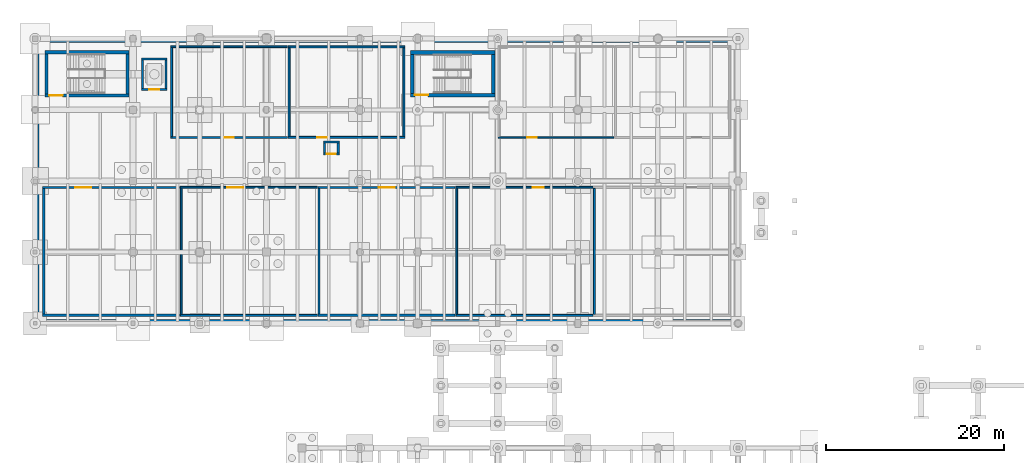
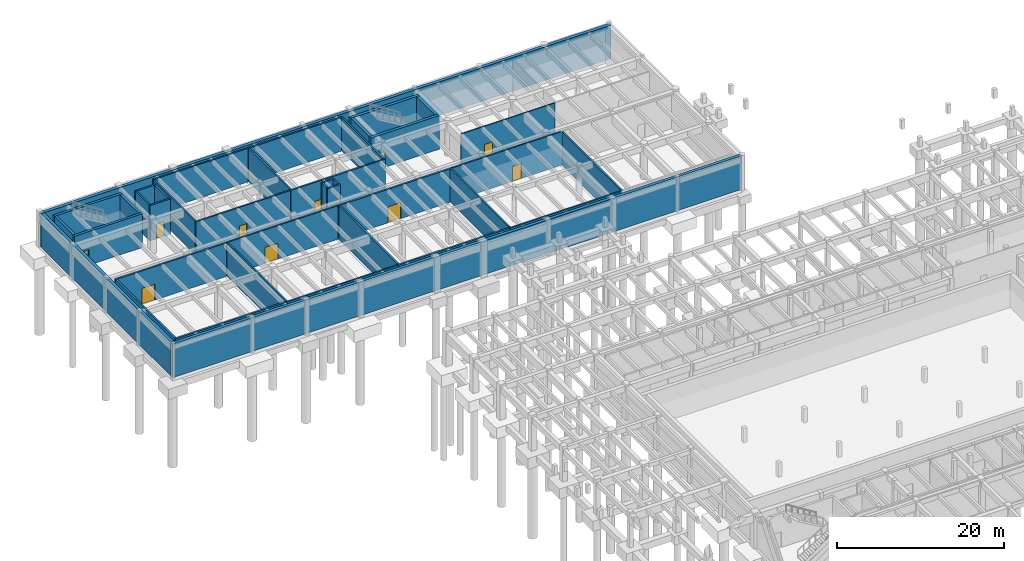
# One storey, part 30 of 36: 40 walls, 11 doors, 11 openings.
"""IFC4 building model written with IfcOpenShell, lengths in metres."""

import ifcopenshell
import ifcopenshell.guid

model = None  # the IFC model being written
_history = None  # IfcOwnerHistory: only IFC2X3 demands one
_inside = {}  # id of a spatial element -> (the spatial element, [elements in it])
_under = {}  # id of a project, library or spatial element -> (it, [spatial elements below it])
_declared = {}  # id of a project -> (the project, [libraries it declares])
_typed = {}  # id of a type object -> (the type object, [elements of that type])
_made_of = {}  # id of a material, layer set ... -> (it, [elements and type objects made of it])


def new_model(schema):
    """Start an empty IFC model of exactly this schema.

    Asked for "IFC4X3", IfcOpenShell would pick the latest addendum, in which some entities
    have other attributes; the version numbers below select the first issue.
    IFC2X3 requires an IfcOwnerHistory on every rooted entity: one is made here for all.
    """
    global model, _history
    if schema == "IFC4X3":
        model = ifcopenshell.file(schema_version=(4, 3, 0, 0))
    else:
        model = ifcopenshell.file(schema=schema)
    _inside.clear()
    _under.clear()
    _declared.clear()
    _typed.clear()
    _made_of.clear()
    _history = None
    if model.schema == "IFC2X3":
        org = make("IfcOrganization", Name="unknown")
        user = make(
            "IfcPersonAndOrganization",
            ThePerson=make("IfcPerson", FamilyName="unknown"),
            TheOrganization=org,
        )
        app = make(
            "IfcApplication",
            ApplicationDeveloper=org,
            Version="unknown",
            ApplicationFullName="unknown",
            ApplicationIdentifier="unknown",
        )
        _history = make(
            "IfcOwnerHistory",
            OwningUser=user,
            OwningApplication=app,
            ChangeAction="ADDED",
            CreationDate=0,
        )
    return model


def make(cls, **values):
    """One entity of the class cls with the attributes given. An attribute that is None is left unset."""
    return model.create_entity(
        cls, **{name: value for name, value in values.items() if value is not None}
    )


def rooted(cls, **values):
    """An entity with a GlobalId (a new one), such as an element, a storey or a relation."""
    return make(cls, GlobalId=ifcopenshell.guid.new(), OwnerHistory=_history, **values)


def si_unit(unit_type, name, prefix=None):
    """IfcSIUnit, for example si_unit("LENGTHUNIT", "METRE", prefix="MILLI")."""
    return make("IfcSIUnit", UnitType=unit_type, Prefix=prefix, Name=name)


def assignment(units):
    """IfcUnitAssignment: the units of a project."""
    return None if units is None else make("IfcUnitAssignment", Units=units)


def point(xyz):
    """IfcCartesianPoint."""
    return None if xyz is None else make("IfcCartesianPoint", Coordinates=xyz)


def direction(xyz):
    """IfcDirection."""
    return None if xyz is None else make("IfcDirection", DirectionRatios=xyz)


def frame(location, z_axis=None, x_axis=None):
    """IfcAxis2Placement3D, a coordinate frame: its origin and axes. An axis left out is left unset."""
    return make(
        "IfcAxis2Placement3D",
        Location=point(location),
        Axis=direction(z_axis),
        RefDirection=direction(x_axis),
    )


def frame_2d(location, x_axis=None):
    """IfcAxis2Placement2D, a coordinate frame in the plane: its origin and x axis."""
    return make(
        "IfcAxis2Placement2D", Location=point(location), RefDirection=direction(x_axis)
    )


def origin():
    """The frame at (0, 0, 0) with its axes left unset."""
    return frame((0.0, 0.0, 0.0))


def place(relative_to, where):
    """IfcLocalPlacement: puts the frame where relative to a parent placement (None: the world)."""
    return make(
        "IfcLocalPlacement", PlacementRelTo=relative_to, RelativePlacement=where
    )


def context(
    kind, dimensions, precision=None, world=None, true_north=None, identifier=None
):
    """IfcGeometricRepresentationContext, for example the 3D "Model" context."""
    return make(
        "IfcGeometricRepresentationContext",
        ContextIdentifier=identifier,
        ContextType=kind,
        CoordinateSpaceDimension=dimensions,
        Precision=precision,
        WorldCoordinateSystem=world,
        TrueNorth=true_north,
    )


def subcontext(parent, identifier, kind, view, scale=None):
    """IfcGeometricRepresentationSubContext, for example "Body" below "Model"."""
    return make(
        "IfcGeometricRepresentationSubContext",
        ContextIdentifier=identifier,
        ContextType=kind,
        ParentContext=parent,
        TargetScale=scale,
        TargetView=view,
    )


def project(units=None, contexts=None):
    """IfcProject with its units and contexts."""
    return rooted(
        "IfcProject",
        Name="project",
        RepresentationContexts=contexts,
        UnitsInContext=assignment(units),
    )


def spatial(cls, under=None, at=None, **own):
    """A site, building, storey or space (cls), placed at a placement, below another one or the project."""
    s = rooted(cls, ObjectPlacement=at, **own)
    if under is not None:
        _under.setdefault(under.id(), (under, []))[1].append(s)
    return s


def profile(cls, at=None, kind="AREA", **sizes):
    """A parametric profile (cls). Its sizes go by their IFC names, for example OverallWidth=200.0."""
    return make(cls, ProfileType=kind, Position=at, **sizes)


def rectangle(**sizes):
    """IfcRectangleProfileDef."""
    return profile("IfcRectangleProfileDef", **sizes)


def extrude(swept, where, along, depth):
    """IfcExtrudedAreaSolid: the profile swept, set in the frame where, extruded along a direction by depth."""
    return make(
        "IfcExtrudedAreaSolid",
        SweptArea=swept,
        Position=where,
        ExtrudedDirection=direction(along),
        Depth=depth,
    )


def shape(context_of_items, identifier, shape_type, items):
    """IfcShapeRepresentation: the items that make up one representation, for example the "Body"."""
    return make(
        "IfcShapeRepresentation",
        ContextOfItems=context_of_items,
        RepresentationIdentifier=identifier,
        RepresentationType=shape_type,
        Items=items,
    )


def material(Name=None, Category=None):
    """IfcMaterial."""
    return make("IfcMaterial", Name=Name, Category=Category)


def layer(
    of_material, thickness, ventilated=None, Name=None, Category=None, Priority=None
):
    """IfcMaterialLayer: one layer of a wall or slab, of a material (None: an air gap)."""
    return make(
        "IfcMaterialLayer",
        Material=of_material,
        LayerThickness=thickness,
        IsVentilated=ventilated,
        Name=Name,
        Category=Category,
        Priority=Priority,
    )


def layer_set(layers, Name=None):
    """IfcMaterialLayerSet."""
    return make("IfcMaterialLayerSet", MaterialLayers=layers, LayerSetName=Name)


def made_of(thing, what):
    """Note that an element or type object is made of a material, layer set ...; save() writes the relation."""
    if what is not None:
        _made_of.setdefault(what.id(), (what, []))[1].append(thing)
    return thing


def type_object(cls, material=None, **own):
    """A type object (cls), such as IfcWallType, which elements share."""
    return made_of(rooted(cls, **own), material)


def element(
    cls,
    number,
    at=None,
    inside=None,
    cuts=None,
    type_object=None,
    material=None,
    context=None,
    identifier="Body",
    shape_type=None,
    held_by="IfcProductDefinitionShape",
    body=None,
    shapes=None,
    **own,
):
    """One element of the class cls, such as IfcWall. Its Tag is "e" and its number.

    at: its placement. inside: the storey or other place that contains it. cuts: it is an
    opening in that element (IfcRelVoidsElement). A single representation is given by context,
    identifier, shape_type and body (its items); several are given by shapes. held_by: the class
    of the entity that holds the representations. save() writes the other relations.
    """
    e = rooted(cls, Tag="e%d" % number, ObjectPlacement=at, **own)
    if body is not None:
        shapes = [shape(context, identifier, shape_type, body)]
    if shapes is not None:
        e.Representation = make(held_by, Representations=shapes)
    if inside is not None:
        _inside.setdefault(inside.id(), (inside, []))[1].append(e)
    if cuts is not None:
        rooted(
            "IfcRelVoidsElement", RelatingBuildingElement=cuts, RelatedOpeningElement=e
        )
    if type_object is not None:
        _typed.setdefault(type_object.id(), (type_object, []))[1].append(e)
    return made_of(e, material)


def fill(opening, filler):
    """IfcRelFillsElement: the door or window that sits in an opening."""
    return rooted(
        "IfcRelFillsElement",
        RelatingOpeningElement=opening,
        RelatedBuildingElement=filler,
    )


def aggregate(whole, parts):
    """IfcRelAggregates: a whole, such as a stair, and the parts it consists of."""
    return rooted("IfcRelAggregates", RelatingObject=whole, RelatedObjects=parts)


def save(model, path):
    """Write the relations noted so far, then the file.

    IfcRelAggregates (storeys below a building ...), IfcRelContainedInSpatialStructure (elements
    in a storey), IfcRelDefinesByType, IfcRelAssociatesMaterial and IfcRelDeclares: one each for
    every whole, place, type object, material and project.
    """
    for whole, parts in _under.values():
        aggregate(whole, parts)
    for where, things in _inside.values():
        rooted(
            "IfcRelContainedInSpatialStructure",
            RelatedElements=things,
            RelatingStructure=where,
        )
    for kind, things in _typed.values():
        rooted("IfcRelDefinesByType", RelatedObjects=things, RelatingType=kind)
    for what, things in _made_of.values():
        rooted("IfcRelAssociatesMaterial", RelatedObjects=things, RelatingMaterial=what)
    for by, libraries in _declared.values():
        rooted("IfcRelDeclares", RelatingContext=by, RelatedDefinitions=libraries)
    model.write(path)


model = new_model("IFC4")

# Units and contexts
model_context = context("Model", 3, precision=1e-05, world=origin(), true_north=direction((0.0, 1.0)))
body_context = subcontext(model_context, "Body", "Model", "MODEL_VIEW")
ifc_project = project(units=[si_unit("LENGTHUNIT", "METRE"), si_unit("AREAUNIT", "SQUARE_METRE"), si_unit("VOLUMEUNIT", "CUBIC_METRE"), si_unit("PLANEANGLEUNIT", "RADIAN"), si_unit("MASSUNIT", "GRAM", prefix="KILO"), si_unit("THERMODYNAMICTEMPERATUREUNIT", "KELVIN"), si_unit("POWERUNIT", "WATT")], contexts=[model_context])

# Site, building, storey
site_placement = place(None, origin())
site = spatial("IfcSite", under=ifc_project, at=site_placement, CompositionType="ELEMENT")
building_placement = place(site_placement, origin())
building = spatial("IfcBuilding", under=site, at=building_placement, Name="Tepalcoro Natatorium and Aquatics Centre", CompositionType="ELEMENT")
storey_placement = place(building_placement, frame((0.0, 0.0, -5.199951171875)))
storey = spatial("IfcBuildingStorey", under=building, at=storey_placement, Name="B1", CompositionType="ELEMENT", Elevation=-5.199951171875)

# Wall, opening, door
ifc_material_1 = material(Name="Moisture-Resistant Acoustic Gypsum Drywall on Cold-Formed Metal Studs")
ifc_layer_1 = layer(ifc_material_1, 0.14990234375)
ifc_layer_set_1 = layer_set([ifc_layer_1], Name="Moisture-Resistant Acoustic Gypsum Drywall on Cold-Formed Metal Studs")
wall_type_1 = type_object("IfcWallType", Name="WL_PART_150_AC", PredefinedType="PARTITIONING", material=ifc_layer_set_1)
wall_1_placement = place(storey_placement, frame((62.0400390625, 106.875, 0.0), z_axis=(0.0, 0.0, 1.0), x_axis=(1.0, 0.0, 0.0)))
wall_1 = element("IfcWall", 1, at=wall_1_placement, inside=storey, type_object=wall_type_1, Name="Water-Quality Testing Laboratory Partition S", PredefinedType="PARTITIONING", context=body_context, shape_type="SweptSolid", body=[
    extrude(rectangle(XDim=13.02001953125, YDim=0.14990234375, at=frame_2d((6.510009765625, 0.0))), origin(), (0.0, 0.0, 1.0), 4.925048828125),
])
opening_1_placement = place(wall_1_placement, frame((3.2548828125, 0.0, 0.0)))
opening_1 = element("IfcOpeningElement", 2, at=opening_1_placement, cuts=wall_1, Name="Opening D0071", PredefinedType="OPENING", context=body_context, shape_type="SweptSolid", body=[
    extrude(rectangle(XDim=1.10009765625, YDim=2.25, at=frame_2d((0.550048828125, 1.125))), frame((0.0, 0.0869140625, 0.0), z_axis=(0.0, -1.0, 0.0), x_axis=(1.0, 0.0, 0.0)), (0.0, 0.0, 1.0), 0.173828125),
])
ifc_material_2 = material(Name="Solid-Core Moisture-Sealed Oak Timber Leaf in Aluminium Frame", Category="wood")
door_type_1 = type_object("IfcDoorType", Name="DR_110x225", OperationType="NOTDEFINED", PredefinedType="DOOR", material=ifc_material_2)
door_1_placement = place(opening_1_placement, origin())
door_1 = element("IfcDoor", 3, at=door_1_placement, inside=storey, type_object=door_type_1, Name="Water-Quality Testing Laboratory Door", OperationType="SINGLE_SWING_LEFT", OverallHeight=2.25, OverallWidth=1.10009765625, PredefinedType="DOOR", context=body_context, shape_type="SweptSolid", body=[
    extrude(rectangle(XDim=1.10009765625, YDim=2.25, at=frame_2d((0.550048828125, 1.125))), frame((0.0, 0.02490234375, 0.0), z_axis=(0.0, -1.0, 0.0), x_axis=(1.0, 0.0, 0.0)), (0.0, 0.0, 1.0), 0.050048828125),
])
fill(opening_1, door_1)

# Wall
ifc_material_3 = material(Name="Ceramic-Tiled Moisture-Resistant Masonry Blockwork", Category="masonry")
ifc_layer_2 = layer(ifc_material_3, 0.219970703125)
ifc_layer_set_2 = layer_set([ifc_layer_2], Name="Ceramic-Tiled Moisture-Resistant Masonry Blockwork")
wall_type_2 = type_object("IfcWallType", Name="WL_PLUMB_220", PredefinedType="PLUMBINGWALL", material=ifc_layer_set_2)
wall_2_placement = place(storey_placement, frame((72.8701171875, 87.02001953125, 0.0), z_axis=(0.0, 0.0, 1.0), x_axis=(0.0, 1.0, 0.0)))
element("IfcWall", 4, at=wall_2_placement, inside=storey, type_object=wall_type_2, Name="Engineer Staff Changing & Male/Female Toilets Partition W", PredefinedType="PLUMBINGWALL", context=body_context, shape_type="SweptSolid", body=[
    extrude(rectangle(XDim=14.159912109375, YDim=0.219970703125, at=frame_2d((7.080078125, 0.0))), origin(), (0.0, 0.0, 1.0), 4.925048828125),
])

# Wall, opening, door
wall_3_placement = place(storey_placement, frame((38.43994140625, 106.909912109375, 0.0), z_axis=(0.0, 0.0, 1.0), x_axis=(1.0, 0.0, 0.0)))
wall_3 = element("IfcWall", 5, at=wall_3_placement, inside=storey, type_object=wall_type_2, Name="B1 Staff Accessible WC Partition S", PredefinedType="PLUMBINGWALL", context=body_context, shape_type="SweptSolid", body=[
    extrude(rectangle(XDim=13.1201171875, YDim=0.219970703125, at=frame_2d((6.56005859375, 0.0))), origin(), (0.0, 0.0, 1.0), 4.925048828125),
])
opening_2_placement = place(wall_3_placement, frame((3.29248046875, 0.0, 0.0)))
opening_2 = element("IfcOpeningElement", 6, at=opening_2_placement, cuts=wall_3, Name="Opening D0070", PredefinedType="OPENING", context=body_context, shape_type="SweptSolid", body=[
    extrude(rectangle(XDim=1.050048828125, YDim=2.14990234375, at=frame_2d((0.52490234375, 1.074951171875))), frame((0.0, 0.1220703125, 0.0), z_axis=(0.0, -1.0, 0.0), x_axis=(1.0, 0.0, 0.0)), (0.0, 0.0, 1.0), 0.243896484375),
])
door_type_2 = type_object("IfcDoorType", Name="DR_105x215_ACC", OperationType="NOTDEFINED", PredefinedType="DOOR", material=ifc_material_2)
door_2_placement = place(opening_2_placement, origin())
door_2 = element("IfcDoor", 7, at=door_2_placement, inside=storey, type_object=door_type_2, Name="B1 Staff Accessible WC Door", OperationType="SINGLE_SWING_RIGHT", OverallHeight=2.14990234375, OverallWidth=1.050048828125, PredefinedType="DOOR", context=body_context, shape_type="SweptSolid", body=[
    extrude(rectangle(XDim=1.050048828125, YDim=2.14990234375, at=frame_2d((0.52490234375, 1.074951171875))), frame((0.0, 0.02490234375, 0.0), z_axis=(0.0, -1.0, 0.0), x_axis=(1.0, 0.0, 0.0)), (0.0, 0.0, 1.0), 0.050048828125),
])
fill(opening_2, door_2)

# Walls
wall_4_placement = place(storey_placement, frame((38.43994140625, 117.090087890625, 0.0), z_axis=(0.0, 0.0, 1.0), x_axis=(1.0, 0.0, 0.0)))
element("IfcWall", 8, at=wall_4_placement, inside=storey, type_object=wall_type_2, Name="B1 Staff Accessible WC Partition N", PredefinedType="PLUMBINGWALL", context=body_context, shape_type="SweptSolid", body=[
    extrude(rectangle(XDim=13.1201171875, YDim=0.219970703125, at=frame_2d((6.56005859375, 0.0))), origin(), (0.0, 0.0, 1.0), 4.925048828125),
])
for number, where, z_axis, x_axis, name in (
    (9, (51.449951171875, 107.02001953125, 0.0), (0.0, 0.0, 1.0), (0.0, 1.0, 0.0), "B1 Staff Accessible WC Partition E"),
    (10, (38.550048828125, 107.02001953125, 0.0), (0.0, 0.0, 1.0), (0.0, 1.0, 0.0), "B1 Staff Accessible WC Partition W"),
):
    element("IfcWall", number, at=place(storey_placement, frame(where, z_axis=z_axis, x_axis=x_axis)), inside=storey, type_object=wall_type_2, Name=name, PredefinedType="PLUMBINGWALL", context=body_context, shape_type="SweptSolid", body=[
        extrude(rectangle(XDim=9.9599609375, YDim=0.219970703125, at=frame_2d((4.97998046875, 0.0))), origin(), (0.0, 0.0, 1.0), 4.925048828125),
    ])
ifc_material_4 = material(Name="Concrete C40/50 (fc 40 MPa)", Category="concrete")
ifc_layer_3 = layer(ifc_material_4, 0.449951171875)
ifc_layer_set_3 = layer_set([ifc_layer_3], Name="Concrete C40/50 (fc 40 MPa)")
wall_type_3 = type_object("IfcWallType", Name="WL_RET_450", PredefinedType="USERDEFINED", material=ifc_layer_set_3)
for number, where, z_axis, x_axis, name in (
    (11, (10.0, 86.22509765625, 0.0), (0.0, 0.0, 1.0), (1.0, 0.0, 0.0), "V4 Basement Retaining Wall S"),
    (12, (10.0, 117.77490234375, 0.0), (0.0, 0.0, 1.0), (1.0, 0.0, 0.0), "V4 Basement Retaining Wall N"),
):
    element("IfcWall", number, at=place(storey_placement, frame(where, z_axis=z_axis, x_axis=x_axis)), inside=storey, type_object=wall_type_3, Name=name, ObjectType="RETAINING WALL", PredefinedType="USERDEFINED", context=body_context, shape_type="SweptSolid", body=[
        extrude(rectangle(XDim=79.0, YDim=0.449951171875, at=frame_2d((39.5, 0.0))), origin(), (0.0, 0.0, 1.0), 4.93994140625),
    ])
wall_5_placement = place(storey_placement, frame((10.22509765625, 86.449951171875, 0.0), z_axis=(0.0, 0.0, 1.0), x_axis=(0.0, 1.0, 0.0)))
element("IfcWall", 13, at=wall_5_placement, inside=storey, type_object=wall_type_3, Name="V4 Basement Retaining Wall W", ObjectType="RETAINING WALL", PredefinedType="USERDEFINED", context=body_context, shape_type="SweptSolid", body=[
    extrude(rectangle(XDim=31.10009765625, YDim=0.449951171875, at=frame_2d((15.550048828125, 0.0))), origin(), (0.0, 0.0, 1.0), 4.93994140625),
])

# Wall, opening, door
ifc_layer_4 = layer(ifc_material_4, 0.239990234375)
ifc_layer_set_4 = layer_set([ifc_layer_4], Name="Concrete C40/50 (fc 40 MPa)")
wall_type_4 = type_object("IfcWallType", Name="WL_SHAFT_240", PredefinedType="SOLIDWALL", material=ifc_layer_set_4)
wall_6_placement = place(storey_placement, frame((21.9599609375, 112.280029296875, 0.0), z_axis=(0.0, 0.0, 1.0), x_axis=(1.0, 0.0, 0.0)))
wall_6 = element("IfcWall", 14, at=wall_6_placement, inside=storey, type_object=wall_type_4, Name="LF04 Lift Shaft Wall S B1", PredefinedType="SOLIDWALL", context=body_context, shape_type="SweptSolid", body=[
    extrude(rectangle(XDim=2.880126953125, YDim=0.239990234375, at=frame_2d((1.43994140625, 0.0))), origin(), (0.0, 0.0, 1.0), 5.199951171875),
])
opening_3_placement = place(wall_6_placement, frame((0.889892578125, 0.0, 0.0)))
opening_3 = element("IfcOpeningElement", 15, at=opening_3_placement, cuts=wall_6, Name="Opening LD-LF04-B1", PredefinedType="OPENING", context=body_context, shape_type="SweptSolid", body=[
    extrude(rectangle(XDim=1.10009765625, YDim=2.14990234375, at=frame_2d((0.550048828125, 1.074951171875))), frame((0.0, 0.1318359375, 0.0), z_axis=(0.0, -1.0, 0.0), x_axis=(1.0, 0.0, 0.0)), (0.0, 0.0, 1.0), 0.263916015625),
])
ifc_material_5 = material(Name="Marine-Grade Brushed Stainless Steel AISI 316L", Category="steel")
door_type_3 = type_object("IfcDoorType", Name="DR_110x215_LIFT", OperationType="NOTDEFINED", PredefinedType="USERDEFINED", material=ifc_material_5)
door_3_placement = place(opening_3_placement, origin())
door_3 = element("IfcDoor", 16, at=door_3_placement, inside=storey, type_object=door_type_3, Name="LF04 Lift Landing Sliding Door (B1)", ObjectType="SLIDING LANDING DOOR", OperationType="SLIDING_TO_LEFT", OverallHeight=2.14990234375, OverallWidth=1.10009765625, PredefinedType="USERDEFINED", context=body_context, shape_type="SweptSolid", body=[
    extrude(rectangle(XDim=1.10009765625, YDim=2.14990234375, at=frame_2d((0.550048828125, 1.074951171875))), frame((0.0, 0.02490234375, 0.0), z_axis=(0.0, -1.0, 0.0), x_axis=(1.0, 0.0, 0.0)), (0.0, 0.0, 1.0), 0.050048828125),
])
fill(opening_3, door_3)

# Walls
wall_7_placement = place(storey_placement, frame((21.9599609375, 115.719970703125, 0.0), z_axis=(0.0, 0.0, 1.0), x_axis=(1.0, 0.0, 0.0)))
element("IfcWall", 17, at=wall_7_placement, inside=storey, type_object=wall_type_4, Name="LF04 Lift Shaft Wall N B1", PredefinedType="SOLIDWALL", context=body_context, shape_type="SweptSolid", body=[
    extrude(rectangle(XDim=2.880126953125, YDim=0.239990234375, at=frame_2d((1.43994140625, 0.0))), origin(), (0.0, 0.0, 1.0), 5.199951171875),
])
for number, where, z_axis, x_axis, name in (
    (18, (22.080078125, 112.39990234375, 0.0), (0.0, 0.0, 1.0), (0.0, 1.0, 0.0), "LF04 Lift Shaft Wall W B1"),
    (19, (24.719970703125, 112.39990234375, 0.0), (0.0, 0.0, 1.0), (0.0, 1.0, 0.0), "LF04 Lift Shaft Wall E B1"),
):
    element("IfcWall", number, at=place(storey_placement, frame(where, z_axis=z_axis, x_axis=x_axis)), inside=storey, type_object=wall_type_4, Name=name, PredefinedType="SOLIDWALL", context=body_context, shape_type="SweptSolid", body=[
        extrude(rectangle(XDim=3.2001953125, YDim=0.239990234375, at=frame_2d((1.60009765625, 0.0))), origin(), (0.0, 0.0, 1.0), 5.199951171875),
    ])

# Wall, opening, door
ifc_layer_5 = layer(ifc_material_4, 0.35009765625)
ifc_layer_set_5 = layer_set([ifc_layer_5], Name="Concrete C40/50 (fc 40 MPa)")
wall_type_5 = type_object("IfcWallType", Name="WL_SHEAR_350", PredefinedType="SHEAR", material=ifc_layer_set_5)
wall_8_placement = place(storey_placement, frame((11.10009765625, 111.625, 0.0), z_axis=(0.0, 0.0, 1.0), x_axis=(1.0, 0.0, 0.0)))
wall_8 = element("IfcWall", 20, at=wall_8_placement, inside=storey, type_object=wall_type_5, Name="ST07 Core Shear Wall S B1", PredefinedType="SHEAR", context=body_context, shape_type="SweptSolid", body=[
    extrude(rectangle(XDim=9.449951171875, YDim=0.35009765625, at=frame_2d((4.72509765625, 0.0))), origin(), (0.0, 0.0, 1.0), 4.93994140625),
])
opening_4_placement = place(wall_8_placement, frame((0.47998046875, 0.0, 0.0)))
opening_4 = element("IfcOpeningElement", 21, at=opening_4_placement, cuts=wall_8, Name="Opening D0025", PredefinedType="OPENING", context=body_context, shape_type="SweptSolid", body=[
    extrude(rectangle(XDim=1.5, YDim=2.300048828125, at=frame_2d((0.75, 1.14990234375))), frame((0.0, 0.18701171875, 0.0), z_axis=(0.0, -1.0, 0.0), x_axis=(1.0, 0.0, 0.0)), (0.0, 0.0, 1.0), 0.3740234375),
])
ifc_material_6 = material(Name="Galvanised Steel Insulated Acoustic Fire Door Assembly", Category="steel")
door_type_4 = type_object("IfcDoorType", Name="DR_150x230_FD60", OperationType="NOTDEFINED", PredefinedType="DOOR", material=ifc_material_6)
door_4_placement = place(opening_4_placement, origin())
door_4 = element("IfcDoor", 22, at=door_4_placement, inside=storey, type_object=door_type_4, Name="ST07 Fire Stair Door (B1)", OperationType="DOUBLE_DOOR_SINGLE_SWING", OverallHeight=2.300048828125, OverallWidth=1.5, PredefinedType="DOOR", context=body_context, shape_type="SweptSolid", body=[
    extrude(rectangle(XDim=1.5, YDim=2.300048828125, at=frame_2d((0.75, 1.14990234375))), frame((0.0, 0.02490234375, 0.0), z_axis=(0.0, -1.0, 0.0), x_axis=(1.0, 0.0, 0.0)), (0.0, 0.0, 1.0), 0.050048828125),
])
fill(opening_4, door_4)

# Walls
wall_9_placement = place(storey_placement, frame((11.10009765625, 116.47509765625, 0.0), z_axis=(0.0, 0.0, 1.0), x_axis=(1.0, 0.0, 0.0)))
element("IfcWall", 23, at=wall_9_placement, inside=storey, type_object=wall_type_5, Name="ST07 Core Shear Wall N B1", PredefinedType="SHEAR", context=body_context, shape_type="SweptSolid", body=[
    extrude(rectangle(XDim=9.449951171875, YDim=0.35009765625, at=frame_2d((4.72509765625, 0.0))), origin(), (0.0, 0.0, 1.0), 4.93994140625),
])
for number, where, z_axis, x_axis, name in (
    (24, (11.27490234375, 111.800048828125, 0.0), (0.0, 0.0, 1.0), (0.0, 1.0, 0.0), "ST07 Core Shear Wall W B1"),
    (25, (20.375, 111.800048828125, 0.0), (0.0, 0.0, 1.0), (0.0, 1.0, 0.0), "ST07 Core Shear Wall E B1"),
):
    element("IfcWall", number, at=place(storey_placement, frame(where, z_axis=z_axis, x_axis=x_axis)), inside=storey, type_object=wall_type_5, Name=name, PredefinedType="SHEAR", context=body_context, shape_type="SweptSolid", body=[
        extrude(rectangle(XDim=4.5, YDim=0.35009765625, at=frame_2d((2.25, 0.0))), origin(), (0.0, 0.0, 1.0), 4.93994140625),
    ])

# Wall, opening, door
ifc_layer_6 = layer(ifc_material_4, 0.39990234375)
ifc_layer_set_6 = layer_set([ifc_layer_6], Name="Concrete C40/50 (fc 40 MPa)")
wall_type_6 = type_object("IfcWallType", Name="WL_SHEAR_400", PredefinedType="SHEAR", material=ifc_layer_set_6)
wall_10_placement = place(storey_placement, frame((52.199951171875, 111.64990234375, 0.0), z_axis=(0.0, 0.0, 1.0), x_axis=(1.0, 0.0, 0.0)))
wall_10 = element("IfcWall", 26, at=wall_10_placement, inside=storey, type_object=wall_type_6, Name="ST08 Core Shear Wall S B1", PredefinedType="SHEAR", context=body_context, shape_type="SweptSolid", body=[
    extrude(rectangle(XDim=9.5, YDim=0.39990234375, at=frame_2d((4.75, 0.0))), origin(), (0.0, 0.0, 1.0), 4.93994140625),
])
opening_5_placement = place(wall_10_placement, frame((0.47998046875, 0.0, 0.0)))
opening_5 = element("IfcOpeningElement", 27, at=opening_5_placement, cuts=wall_10, Name="Opening D0029", PredefinedType="OPENING", context=body_context, shape_type="SweptSolid", body=[
    extrude(rectangle(XDim=1.5, YDim=2.300048828125, at=frame_2d((0.75, 1.14990234375))), frame((0.0, 0.2119140625, 0.0), z_axis=(0.0, -1.0, 0.0), x_axis=(1.0, 0.0, 0.0)), (0.0, 0.0, 1.0), 0.423828125),
])
door_5_placement = place(opening_5_placement, origin())
door_5 = element("IfcDoor", 28, at=door_5_placement, inside=storey, type_object=door_type_4, Name="ST08 Fire Stair Door (B1)", OperationType="DOUBLE_DOOR_SINGLE_SWING", OverallHeight=2.300048828125, OverallWidth=1.5, PredefinedType="DOOR", context=body_context, shape_type="SweptSolid", body=[
    extrude(rectangle(XDim=1.5, YDim=2.300048828125, at=frame_2d((0.75, 1.14990234375))), frame((0.0, 0.02490234375, 0.0), z_axis=(0.0, -1.0, 0.0), x_axis=(1.0, 0.0, 0.0)), (0.0, 0.0, 1.0), 0.050048828125),
])
fill(opening_5, door_5)

# Walls
wall_11_placement = place(storey_placement, frame((52.199951171875, 116.449951171875, 0.0), z_axis=(0.0, 0.0, 1.0), x_axis=(1.0, 0.0, 0.0)))
element("IfcWall", 29, at=wall_11_placement, inside=storey, type_object=wall_type_6, Name="ST08 Core Shear Wall N B1", PredefinedType="SHEAR", context=body_context, shape_type="SweptSolid", body=[
    extrude(rectangle(XDim=9.5, YDim=0.39990234375, at=frame_2d((4.75, 0.0))), origin(), (0.0, 0.0, 1.0), 4.93994140625),
])
for number, where, z_axis, x_axis, name in (
    (30, (52.39990234375, 111.85009765625, 0.0), (0.0, 0.0, 1.0), (0.0, 1.0, 0.0), "ST08 Core Shear Wall W B1"),
    (31, (61.5, 111.85009765625, 0.0), (0.0, 0.0, 1.0), (0.0, 1.0, 0.0), "ST08 Core Shear Wall E B1"),
):
    element("IfcWall", number, at=place(storey_placement, frame(where, z_axis=z_axis, x_axis=x_axis)), inside=storey, type_object=wall_type_6, Name=name, PredefinedType="SHEAR", context=body_context, shape_type="SweptSolid", body=[
        extrude(rectangle(XDim=4.39990234375, YDim=0.39990234375, at=frame_2d((2.199951171875, 0.0))), origin(), (0.0, 0.0, 1.0), 4.93994140625),
    ])
ifc_material_7 = material(Name="Concrete C35/45 (fc 35 MPa)", Category="concrete")
ifc_layer_7 = layer(ifc_material_7, 0.205078125)
ifc_layer_set_7 = layer_set([ifc_layer_7], Name="Concrete C35/45 (fc 35 MPa)")
wall_type_7 = type_object("IfcWallType", Name="WL_SOLID_200_FR120", PredefinedType="SOLIDWALL", material=ifc_layer_set_7)
wall_12_placement = place(storey_placement, frame((26.320068359375, 86.902587890625, 0.0), z_axis=(0.0, 0.0, 1.0), x_axis=(1.0, 0.0, 0.0)))
element("IfcWall", 32, at=wall_12_placement, inside=storey, type_object=wall_type_7, Name="Training & Hydrotherapy Filtration Plant Hall Partition S", PredefinedType="SOLIDWALL", context=body_context, shape_type="SweptSolid", body=[
    extrude(rectangle(XDim=15.39990234375, YDim=0.205078125, at=frame_2d((7.699951171875, 0.0))), origin(), (0.0, 0.0, 1.0), 4.925048828125),
])

# Wall, opening, door
wall_13_placement = place(storey_placement, frame((26.320068359375, 101.297607421875, 0.0), z_axis=(0.0, 0.0, 1.0), x_axis=(1.0, 0.0, 0.0)))
wall_13 = element("IfcWall", 33, at=wall_13_placement, inside=storey, type_object=wall_type_7, Name="Training & Hydrotherapy Filtration Plant Hall Partition N", PredefinedType="SOLIDWALL", context=body_context, shape_type="SweptSolid", body=[
    extrude(rectangle(XDim=15.39990234375, YDim=0.205078125, at=frame_2d((7.699951171875, 0.0))), origin(), (0.0, 0.0, 1.0), 4.925048828125),
])
opening_6_placement = place(wall_13_placement, frame((5.300048828125, 0.0, 0.0)))
opening_6 = element("IfcOpeningElement", 34, at=opening_6_placement, cuts=wall_13, Name="Opening D0065", PredefinedType="OPENING", context=body_context, shape_type="SweptSolid", body=[
    extrude(rectangle(XDim=1.800048828125, YDim=2.35009765625, at=frame_2d((0.89990234375, 1.175048828125))), frame((0.0, 0.114501953125, 0.0), z_axis=(0.0, -1.0, 0.0), x_axis=(1.0, 0.0, 0.0)), (0.0, 0.0, 1.0), 0.22900390625),
])
door_type_5 = type_object("IfcDoorType", Name="DR_180x240_PLANT", OperationType="NOTDEFINED", PredefinedType="DOOR", material=ifc_material_6)
door_6_placement = place(opening_6_placement, frame((1.800048828125, 0.0, 0.0), z_axis=(0.0, 0.0, 1.0), x_axis=(-1.0, 0.0, 0.0)))
door_6 = element("IfcDoor", 35, at=door_6_placement, inside=storey, type_object=door_type_5, Name="Training & Hydrotherapy Filtration Plant Hall Door", OperationType="DOUBLE_DOOR_SINGLE_SWING", OverallHeight=2.35009765625, OverallWidth=1.800048828125, PredefinedType="DOOR", context=body_context, shape_type="SweptSolid", body=[
    extrude(rectangle(XDim=1.800048828125, YDim=2.35009765625, at=frame_2d((0.89990234375, 1.175048828125))), frame((0.0, 0.02490234375, 0.0), z_axis=(0.0, -1.0, 0.0), x_axis=(1.0, 0.0, 0.0)), (0.0, 0.0, 1.0), 0.050048828125),
])
fill(opening_6, door_6)

# Walls
wall_14_placement = place(storey_placement, frame((26.422607421875, 87.0048828125, 0.0), z_axis=(0.0, 0.0, 1.0), x_axis=(0.0, 1.0, 0.0)))
element("IfcWall", 36, at=wall_14_placement, inside=storey, type_object=wall_type_7, Name="Training & Hydrotherapy Filtration Plant Hall Partition W", PredefinedType="SOLIDWALL", context=body_context, shape_type="SweptSolid", body=[
    extrude(rectangle(XDim=14.190185546875, YDim=0.205078125, at=frame_2d((7.09521484375, 0.0))), origin(), (0.0, 0.0, 1.0), 4.925048828125),
])
wall_15_placement = place(storey_placement, frame((57.280029296875, 86.902587890625, 0.0), z_axis=(0.0, 0.0, 1.0), x_axis=(1.0, 0.0, 0.0)))
element("IfcWall", 37, at=wall_15_placement, inside=storey, type_object=wall_type_7, Name="Maintenance Engineering Stores & Linen Handling Partition S", PredefinedType="SOLIDWALL", context=body_context, shape_type="SweptSolid", body=[
    extrude(rectangle(XDim=15.39990234375, YDim=0.205078125, at=frame_2d((7.699951171875, 0.0))), origin(), (0.0, 0.0, 1.0), 4.925048828125),
])

# Wall, opening, door
wall_16_placement = place(storey_placement, frame((57.280029296875, 101.297607421875, 0.0), z_axis=(0.0, 0.0, 1.0), x_axis=(1.0, 0.0, 0.0)))
wall_16 = element("IfcWall", 38, at=wall_16_placement, inside=storey, type_object=wall_type_7, Name="Maintenance Engineering Stores & Linen Handling Partition N", PredefinedType="SOLIDWALL", context=body_context, shape_type="SweptSolid", body=[
    extrude(rectangle(XDim=15.39990234375, YDim=0.205078125, at=frame_2d((7.699951171875, 0.0))), origin(), (0.0, 0.0, 1.0), 4.925048828125),
])
opening_7_placement = place(wall_16_placement, frame((8.672119140625, 0.0, 0.0)))
opening_7 = element("IfcOpeningElement", 39, at=opening_7_placement, cuts=wall_16, Name="Opening D0067", PredefinedType="OPENING", context=body_context, shape_type="SweptSolid", body=[
    extrude(rectangle(XDim=1.199951171875, YDim=2.199951171875, at=frame_2d((0.60009765625, 1.10009765625))), frame((0.0, 0.114501953125, 0.0), z_axis=(0.0, -1.0, 0.0), x_axis=(1.0, 0.0, 0.0)), (0.0, 0.0, 1.0), 0.22900390625),
])
door_type_6 = type_object("IfcDoorType", Name="DR_120x220_FD60", OperationType="NOTDEFINED", PredefinedType="DOOR", material=ifc_material_6)
door_7_placement = place(opening_7_placement, frame((1.199951171875, 0.0, 0.0), z_axis=(0.0, 0.0, 1.0), x_axis=(-1.0, 0.0, 0.0)))
door_7 = element("IfcDoor", 40, at=door_7_placement, inside=storey, type_object=door_type_6, Name="Maintenance Engineering Stores & Linen Handling Door", OperationType="SINGLE_SWING_LEFT", OverallHeight=2.199951171875, OverallWidth=1.199951171875, PredefinedType="DOOR", context=body_context, shape_type="SweptSolid", body=[
    extrude(rectangle(XDim=1.199951171875, YDim=2.199951171875, at=frame_2d((0.60009765625, 1.10009765625))), frame((0.0, 0.02490234375, 0.0), z_axis=(0.0, -1.0, 0.0), x_axis=(1.0, 0.0, 0.0)), (0.0, 0.0, 1.0), 0.050048828125),
])
fill(opening_7, door_7)

# Wall
wall_17_placement = place(storey_placement, frame((57.382568359375, 87.0048828125, 0.0), z_axis=(0.0, 0.0, 1.0), x_axis=(0.0, 1.0, 0.0)))
element("IfcWall", 41, at=wall_17_placement, inside=storey, type_object=wall_type_7, Name="Maintenance Engineering Stores & Linen Handling Partition W", PredefinedType="SOLIDWALL", context=body_context, shape_type="SweptSolid", body=[
    extrude(rectangle(XDim=14.190185546875, YDim=0.205078125, at=frame_2d((7.09521484375, 0.0))), origin(), (0.0, 0.0, 1.0), 4.925048828125),
])

# Wall, opening, door
wall_18_placement = place(storey_placement, frame((25.239990234375, 106.902587890625, 0.0), z_axis=(0.0, 0.0, 1.0), x_axis=(1.0, 0.0, 0.0)))
wall_18 = element("IfcWall", 42, at=wall_18_placement, inside=storey, type_object=wall_type_7, Name="Pool Chemical Bulk Storage & Neutralisation Tank Room Partition S", PredefinedType="SOLIDWALL", context=body_context, shape_type="SweptSolid", body=[
    extrude(rectangle(XDim=13.1201171875, YDim=0.205078125, at=frame_2d((6.56005859375, 0.0))), origin(), (0.0, 0.0, 1.0), 4.925048828125),
])
opening_8_placement = place(wall_18_placement, frame((6.050048828125, 0.0, 0.0)))
opening_8 = element("IfcOpeningElement", 43, at=opening_8_placement, cuts=wall_18, Name="Opening D0069", PredefinedType="OPENING", context=body_context, shape_type="SweptSolid", body=[
    extrude(rectangle(XDim=1.02001953125, YDim=2.199951171875, at=frame_2d((0.510009765625, 1.10009765625))), frame((0.0, 0.114501953125, 0.0), z_axis=(0.0, -1.0, 0.0), x_axis=(1.0, 0.0, 0.0)), (0.0, 0.0, 1.0), 0.22900390625),
])
door_type_7 = type_object("IfcDoorType", Name="DR_100x220_FD90", OperationType="NOTDEFINED", PredefinedType="DOOR", material=ifc_material_6)
door_8_placement = place(opening_8_placement, origin())
door_8 = element("IfcDoor", 44, at=door_8_placement, inside=storey, type_object=door_type_7, Name="Pool Chemical Bulk Storage & Neutralisation Tank Room Door", OperationType="SINGLE_SWING_LEFT", OverallHeight=2.199951171875, OverallWidth=1.02001953125, PredefinedType="DOOR", context=body_context, shape_type="SweptSolid", body=[
    extrude(rectangle(XDim=1.02001953125, YDim=2.199951171875, at=frame_2d((0.510009765625, 1.10009765625))), frame((0.0, 0.02490234375, 0.0), z_axis=(0.0, -1.0, 0.0), x_axis=(1.0, 0.0, 0.0)), (0.0, 0.0, 1.0), 0.050048828125),
])
fill(opening_8, door_8)

# Walls
wall_19_placement = place(storey_placement, frame((25.239990234375, 117.097412109375, 0.0), z_axis=(0.0, 0.0, 1.0), x_axis=(1.0, 0.0, 0.0)))
element("IfcWall", 45, at=wall_19_placement, inside=storey, type_object=wall_type_7, Name="Pool Chemical Bulk Storage & Neutralisation Tank Room Partition N", PredefinedType="SOLIDWALL", context=body_context, shape_type="SweptSolid", body=[
    extrude(rectangle(XDim=13.1201171875, YDim=0.205078125, at=frame_2d((6.56005859375, 0.0))), origin(), (0.0, 0.0, 1.0), 4.925048828125),
])
wall_20_placement = place(storey_placement, frame((25.342529296875, 107.0048828125, 0.0), z_axis=(0.0, 0.0, 1.0), x_axis=(0.0, 1.0, 0.0)))
element("IfcWall", 46, at=wall_20_placement, inside=storey, type_object=wall_type_7, Name="Pool Chemical Bulk Storage & Neutralisation Tank Room Partition W", PredefinedType="SOLIDWALL", context=body_context, shape_type="SweptSolid", body=[
    extrude(rectangle(XDim=9.990234375, YDim=0.205078125, at=frame_2d((4.9951171875, 0.0))), origin(), (0.0, 0.0, 1.0), 4.925048828125),
])

# Wall, opening, door
ifc_layer_8 = layer(ifc_material_7, 0.2451171875)
ifc_layer_set_8 = layer_set([ifc_layer_8], Name="Concrete C35/45 (fc 35 MPa)")
wall_type_8 = type_object("IfcWallType", Name="WL_SOLID_240_FR120", PredefinedType="SOLIDWALL", material=ifc_layer_set_8)
wall_21_placement = place(storey_placement, frame((42.39990234375, 105.0224609375, 0.0), z_axis=(0.0, 0.0, 1.0), x_axis=(1.0, 0.0, 0.0)))
wall_21 = element("IfcWall", 47, at=wall_21_placement, inside=storey, type_object=wall_type_8, Name="V4 B1 MEP Switchgear & Telecom Closet Partition S", PredefinedType="SOLIDWALL", context=body_context, shape_type="SweptSolid", body=[
    extrude(rectangle(XDim=1.800048828125, YDim=0.2451171875, at=frame_2d((0.89990234375, 0.0))), origin(), (0.0, 0.0, 1.0), 4.925048828125),
])
opening_9_placement = place(wall_21_placement, frame((0.39990234375, 0.0, 0.0)))
opening_9 = element("IfcOpeningElement", 48, at=opening_9_placement, cuts=wall_21, Name="Opening D0043", PredefinedType="OPENING", context=body_context, shape_type="SweptSolid", body=[
    extrude(rectangle(XDim=1.0, YDim=2.199951171875, at=frame_2d((0.5, 1.10009765625))), frame((0.0, 0.134521484375, 0.0), z_axis=(0.0, -1.0, 0.0), x_axis=(1.0, 0.0, 0.0)), (0.0, 0.0, 1.0), 0.26904296875),
])
door_type_8 = type_object("IfcDoorType", Name="DR_100x220_FD60", OperationType="NOTDEFINED", PredefinedType="DOOR", material=ifc_material_6)
door_9_placement = place(opening_9_placement, origin())
door_9 = element("IfcDoor", 49, at=door_9_placement, inside=storey, type_object=door_type_8, Name="V4 B1 MEP Switchgear & Telecom Closet Door", OperationType="SINGLE_SWING_LEFT", OverallHeight=2.199951171875, OverallWidth=1.0, PredefinedType="DOOR", context=body_context, shape_type="SweptSolid", body=[
    extrude(rectangle(XDim=1.0, YDim=2.199951171875, at=frame_2d((0.5, 1.10009765625))), frame((0.0, 0.02490234375, 0.0), z_axis=(0.0, -1.0, 0.0), x_axis=(1.0, 0.0, 0.0)), (0.0, 0.0, 1.0), 0.050048828125),
])
fill(opening_9, door_9)

# Walls
wall_22_placement = place(storey_placement, frame((42.39990234375, 106.37744140625, 0.0), z_axis=(0.0, 0.0, 1.0), x_axis=(1.0, 0.0, 0.0)))
element("IfcWall", 50, at=wall_22_placement, inside=storey, type_object=wall_type_8, Name="V4 B1 MEP Switchgear & Telecom Closet Partition N", PredefinedType="SOLIDWALL", context=body_context, shape_type="SweptSolid", body=[
    extrude(rectangle(XDim=1.800048828125, YDim=0.2451171875, at=frame_2d((0.89990234375, 0.0))), origin(), (0.0, 0.0, 1.0), 4.925048828125),
])
for number, where, z_axis, x_axis, name in (
    (51, (44.077392578125, 105.14501953125, 0.0), (0.0, 0.0, 1.0), (0.0, 1.0, 0.0), "V4 B1 MEP Switchgear & Telecom Closet Partition E"),
    (52, (42.5224609375, 105.14501953125, 0.0), (0.0, 0.0, 1.0), (0.0, 1.0, 0.0), "V4 B1 MEP Switchgear & Telecom Closet Partition W"),
):
    element("IfcWall", number, at=place(storey_placement, frame(where, z_axis=z_axis, x_axis=x_axis)), inside=storey, type_object=wall_type_8, Name=name, PredefinedType="SOLIDWALL", context=body_context, shape_type="SweptSolid", body=[
        extrude(rectangle(XDim=1.10986328125, YDim=0.2451171875, at=frame_2d((0.554931640625, 0.0))), origin(), (0.0, 0.0, 1.0), 4.925048828125),
    ])
wall_23_placement = place(storey_placement, frame((10.840087890625, 86.922607421875, 0.0), z_axis=(0.0, 0.0, 1.0), x_axis=(1.0, 0.0, 0.0)))
element("IfcWall", 53, at=wall_23_placement, inside=storey, type_object=wall_type_8, Name="Chiller Hall & Thermal Ice-Storage Plant Partition S", PredefinedType="SOLIDWALL", context=body_context, shape_type="SweptSolid", body=[
    extrude(rectangle(XDim=15.39990234375, YDim=0.2451171875, at=frame_2d((7.699951171875, 0.0))), origin(), (0.0, 0.0, 1.0), 4.925048828125),
])

# Wall, opening, door
wall_24_placement = place(storey_placement, frame((10.840087890625, 101.277587890625, 0.0), z_axis=(0.0, 0.0, 1.0), x_axis=(1.0, 0.0, 0.0)))
wall_24 = element("IfcWall", 54, at=wall_24_placement, inside=storey, type_object=wall_type_8, Name="Chiller Hall & Thermal Ice-Storage Plant Partition N", PredefinedType="SOLIDWALL", context=body_context, shape_type="SweptSolid", body=[
    extrude(rectangle(XDim=15.39990234375, YDim=0.2451171875, at=frame_2d((7.699951171875, 0.0))), origin(), (0.0, 0.0, 1.0), 4.925048828125),
])
opening_10_placement = place(wall_24_placement, frame((3.675048828125, 0.0, 0.0)))
opening_10 = element("IfcOpeningElement", 55, at=opening_10_placement, cuts=wall_24, Name="Opening D0064", PredefinedType="OPENING", context=body_context, shape_type="SweptSolid", body=[
    extrude(rectangle(XDim=1.800048828125, YDim=2.35009765625, at=frame_2d((0.89990234375, 1.175048828125))), frame((0.0, 0.134521484375, 0.0), z_axis=(0.0, -1.0, 0.0), x_axis=(1.0, 0.0, 0.0)), (0.0, 0.0, 1.0), 0.26904296875),
])
door_10_placement = place(opening_10_placement, frame((1.800048828125, 0.0, 0.0), z_axis=(0.0, 0.0, 1.0), x_axis=(-1.0, 0.0, 0.0)))
door_10 = element("IfcDoor", 56, at=door_10_placement, inside=storey, type_object=door_type_5, Name="Chiller Hall & Thermal Ice-Storage Plant Door", OperationType="DOUBLE_DOOR_SINGLE_SWING", OverallHeight=2.35009765625, OverallWidth=1.800048828125, PredefinedType="DOOR", context=body_context, shape_type="SweptSolid", body=[
    extrude(rectangle(XDim=1.800048828125, YDim=2.35009765625, at=frame_2d((0.89990234375, 1.175048828125))), frame((0.0, 0.02490234375, 0.0), z_axis=(0.0, -1.0, 0.0), x_axis=(1.0, 0.0, 0.0)), (0.0, 0.0, 1.0), 0.050048828125),
])
fill(opening_10, door_10)

# Walls
wall_25_placement = place(storey_placement, frame((10.96240234375, 87.044921875, 0.0), z_axis=(0.0, 0.0, 1.0), x_axis=(0.0, 1.0, 0.0)))
element("IfcWall", 57, at=wall_25_placement, inside=storey, type_object=wall_type_8, Name="Chiller Hall & Thermal Ice-Storage Plant Partition W", PredefinedType="SOLIDWALL", context=body_context, shape_type="SweptSolid", body=[
    extrude(rectangle(XDim=14.110107421875, YDim=0.2451171875, at=frame_2d((7.05517578125, 0.0))), origin(), (0.0, 0.0, 1.0), 4.925048828125),
])
wall_26_placement = place(storey_placement, frame((41.800048828125, 86.922607421875, 0.0), z_axis=(0.0, 0.0, 1.0), x_axis=(1.0, 0.0, 0.0)))
element("IfcWall", 58, at=wall_26_placement, inside=storey, type_object=wall_type_8, Name="Domestic Hot Water Calorifier & Greywater Recovery Plant Partition S", PredefinedType="SOLIDWALL", context=body_context, shape_type="SweptSolid", body=[
    extrude(rectangle(XDim=15.39990234375, YDim=0.2451171875, at=frame_2d((7.699951171875, 0.0))), origin(), (0.0, 0.0, 1.0), 4.925048828125),
])

# Wall, opening, door
wall_27_placement = place(storey_placement, frame((41.800048828125, 101.277587890625, 0.0), z_axis=(0.0, 0.0, 1.0), x_axis=(1.0, 0.0, 0.0)))
wall_27 = element("IfcWall", 59, at=wall_27_placement, inside=storey, type_object=wall_type_8, Name="Domestic Hot Water Calorifier & Greywater Recovery Plant Partition N", PredefinedType="SOLIDWALL", context=body_context, shape_type="SweptSolid", body=[
    extrude(rectangle(XDim=15.39990234375, YDim=0.2451171875, at=frame_2d((7.699951171875, 0.0))), origin(), (0.0, 0.0, 1.0), 4.925048828125),
])
opening_11_placement = place(wall_27_placement, frame((6.800048828125, 0.0, 0.0)))
opening_11 = element("IfcOpeningElement", 60, at=opening_11_placement, cuts=wall_27, Name="Opening D0066", PredefinedType="OPENING", context=body_context, shape_type="SweptSolid", body=[
    extrude(rectangle(XDim=1.800048828125, YDim=2.35009765625, at=frame_2d((0.89990234375, 1.175048828125))), frame((0.0, 0.134521484375, 0.0), z_axis=(0.0, -1.0, 0.0), x_axis=(1.0, 0.0, 0.0)), (0.0, 0.0, 1.0), 0.26904296875),
])
door_11_placement = place(opening_11_placement, frame((1.800048828125, 0.0, 0.0), z_axis=(0.0, 0.0, 1.0), x_axis=(-1.0, 0.0, 0.0)))
door_11 = element("IfcDoor", 61, at=door_11_placement, inside=storey, type_object=door_type_5, Name="Domestic Hot Water Calorifier & Greywater Recovery Plant Door", OperationType="DOUBLE_DOOR_SINGLE_SWING", OverallHeight=2.35009765625, OverallWidth=1.800048828125, PredefinedType="DOOR", context=body_context, shape_type="SweptSolid", body=[
    extrude(rectangle(XDim=1.800048828125, YDim=2.35009765625, at=frame_2d((0.89990234375, 1.175048828125))), frame((0.0, 0.02490234375, 0.0), z_axis=(0.0, -1.0, 0.0), x_axis=(1.0, 0.0, 0.0)), (0.0, 0.0, 1.0), 0.050048828125),
])
fill(opening_11, door_11)

# Wall
wall_28_placement = place(storey_placement, frame((41.922607421875, 87.044921875, 0.0), z_axis=(0.0, 0.0, 1.0), x_axis=(0.0, 1.0, 0.0)))
element("IfcWall", 62, at=wall_28_placement, inside=storey, type_object=wall_type_8, Name="Domestic Hot Water Calorifier & Greywater Recovery Plant Partition W", PredefinedType="SOLIDWALL", context=body_context, shape_type="SweptSolid", body=[
    extrude(rectangle(XDim=14.110107421875, YDim=0.2451171875, at=frame_2d((7.05517578125, 0.0))), origin(), (0.0, 0.0, 1.0), 4.925048828125),
])

save(model, "model.ifc")
